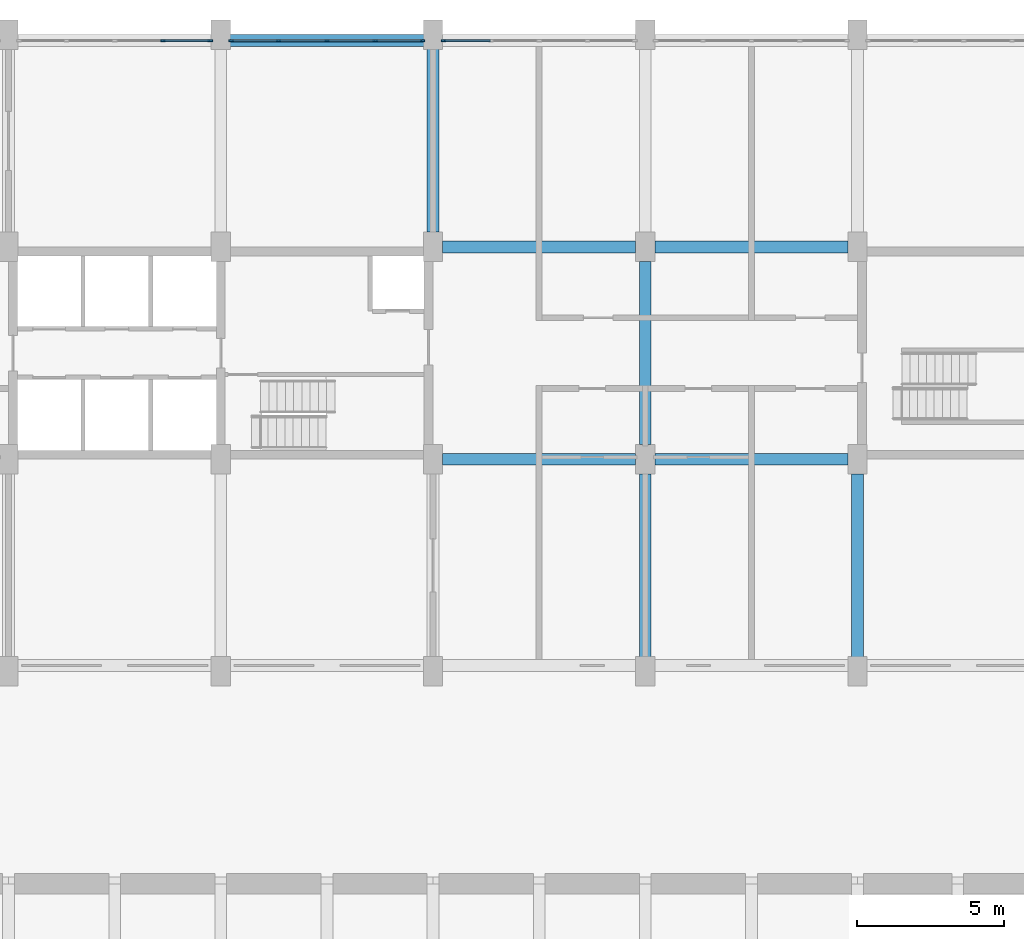
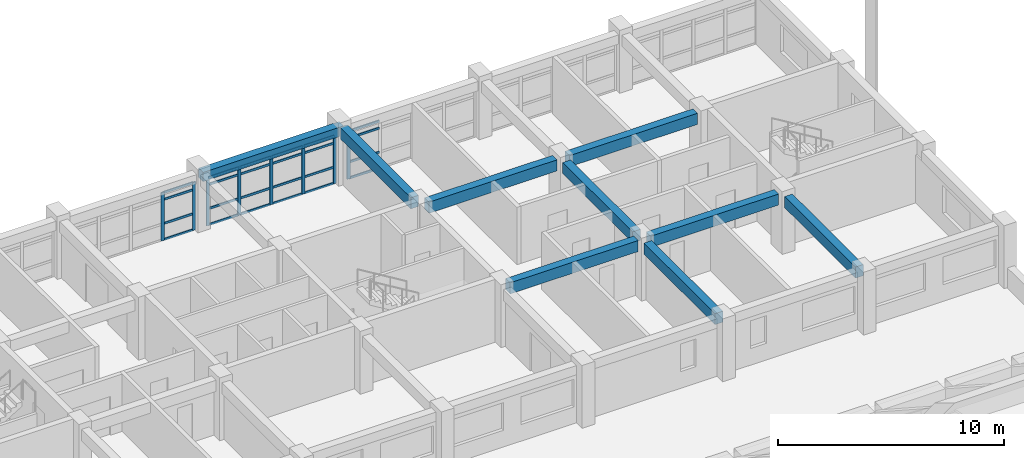
# One storey, part 13 of 31: 32 members, 9 beams, 3 elements without a shape of their own.
"""IFC4 building model written with IfcOpenShell, lengths in metres."""

from ifc_helpers import new_model, si_unit, direction, frame, origin, origin_2d, place, context, subcontext, project, spatial, rectangle, extrude, material, material_profile, profile_set, type_object, element, aggregate, save


model = new_model("IFC4")

# Units and contexts
model_context = context("Model", 3, precision=1e-05, world=origin(), true_north=direction((0.0, 1.0)))
body_context = subcontext(model_context, "Body", "Model", "MODEL_VIEW")
ifc_project = project(units=[si_unit("LENGTHUNIT", "METRE"), si_unit("AREAUNIT", "SQUARE_METRE"), si_unit("VOLUMEUNIT", "CUBIC_METRE"), si_unit("PLANEANGLEUNIT", "RADIAN"), si_unit("MASSUNIT", "GRAM", prefix="KILO")], contexts=[model_context])

# Site, building, storey
site_placement = place(None, origin())
site = spatial("IfcSite", under=ifc_project, at=site_placement, CompositionType="ELEMENT")
building_placement = place(site_placement, origin())
building = spatial("IfcBuilding", under=site, at=building_placement, Name="Vermilion Court Aquatics Centre", CompositionType="ELEMENT")
storey_placement = place(building_placement, frame((0.0, 0.0, 16.5)))
storey = spatial("IfcBuildingStorey", under=building, at=storey_placement, Name="L03", CompositionType="ELEMENT", Elevation=16.5)

# Curtain wall, members
ifc_material_1 = material(Name="Aluminium 6063-T5", Category="aluminium")
curtain_wall_type = type_object("IfcCurtainWallType", Name="North block glazed bay curtain wall 1800 module", PredefinedType="NOTDEFINED", material=ifc_material_1)
curtain_wall_1_placement = place(storey_placement, origin())
curtain_wall_1 = element("IfcCurtainWall", 1, at=curtain_wall_1_placement, inside=storey, type_object=curtain_wall_type, Name="North glazed bay 3 L03", PredefinedType="NOTDEFINED")
ifc_material_2 = material(Name="Aluminium 6063-T5", Category="aluminium")
ifc_material_profile_1 = material_profile(ifc_material_2, rectangle(XDim=0.06005859375, YDim=0.159912109375, at=origin_2d()), Name="AL 60x160")
ifc_profile_set_1 = profile_set([ifc_material_profile_1], Name="Aluminium 6063-T5")
member_type_1 = type_object("IfcMemberType", Name="North block curtain wall mullion 60x160", PredefinedType="MULLION", material=ifc_profile_set_1)
member_1_placement = place(storey_placement, frame((163.637451171875, 115.0, 0.0), z_axis=(0.0, 0.0, 1.0), x_axis=(0.0, 1.0, 0.0)))
member_1 = element("IfcMember", 2, at=member_1_placement, type_object=member_type_1, Name="UCW1 mullion 4", PredefinedType="MULLION", context=body_context, shape_type="SweptSolid", body=[
    extrude(rectangle(XDim=0.06005859375, YDim=0.159912109375, at=origin_2d()), origin(), (0.0, 0.0, 1.0), 2.60009765625),
])
member_2_placement = place(storey_placement, frame((165.2451171875, 115.0, 0.0), z_axis=(0.0, 0.0, 1.0), x_axis=(0.0, 1.0, 0.0)))
member_2 = element("IfcMember", 3, at=member_2_placement, type_object=member_type_1, Name="UCW1 mullion 5", PredefinedType="MULLION", context=body_context, shape_type="SweptSolid", body=[
    extrude(rectangle(XDim=0.06005859375, YDim=0.159912109375, at=origin_2d()), origin(), (0.0, 0.0, 1.0), 2.60009765625),
])

curtain_wall_2_placement = place(storey_placement, origin())
curtain_wall_2 = element("IfcCurtainWall", 4, at=curtain_wall_2_placement, inside=storey, type_object=curtain_wall_type, Name="North glazed bay 4 L03", PredefinedType="NOTDEFINED")
member_3_placement = place(storey_placement, frame((165.955078125, 115.0, 0.0), z_axis=(0.0, 0.0, 1.0), x_axis=(0.0, 1.0, 0.0)))
member_3 = element("IfcMember", 5, at=member_3_placement, type_object=member_type_1, Name="UCW1 mullion 1", PredefinedType="MULLION", context=body_context, shape_type="SweptSolid", body=[
    extrude(rectangle(XDim=0.06005859375, YDim=0.159912109375, at=origin_2d()), origin(), (0.0, 0.0, 1.0), 2.60009765625),
])
member_4_placement = place(storey_placement, frame((167.5625, 115.0, 0.0), z_axis=(0.0, 0.0, 1.0), x_axis=(0.0, 1.0, 0.0)))
member_4 = element("IfcMember", 6, at=member_4_placement, type_object=member_type_1, Name="UCW1 mullion 2", PredefinedType="MULLION", context=body_context, shape_type="SweptSolid", body=[
    extrude(rectangle(XDim=0.06005859375, YDim=0.159912109375, at=origin_2d()), origin(), (0.0, 0.0, 1.0), 2.60009765625),
])
member_5_placement = place(storey_placement, frame((169.199951171875, 115.0, 0.0), z_axis=(0.0, 0.0, 1.0), x_axis=(0.0, 1.0, 0.0)))
member_5 = element("IfcMember", 7, at=member_5_placement, type_object=member_type_1, Name="UCW1 mullion 3", PredefinedType="MULLION", context=body_context, shape_type="SweptSolid", body=[
    extrude(rectangle(XDim=0.06005859375, YDim=0.159912109375, at=origin_2d()), origin(), (0.0, 0.0, 1.0), 2.60009765625),
])
member_6_placement = place(storey_placement, frame((170.83740234375, 115.0, 0.0), z_axis=(0.0, 0.0, 1.0), x_axis=(0.0, 1.0, 0.0)))
member_6 = element("IfcMember", 8, at=member_6_placement, type_object=member_type_1, Name="UCW1 mullion 4", PredefinedType="MULLION", context=body_context, shape_type="SweptSolid", body=[
    extrude(rectangle(XDim=0.06005859375, YDim=0.159912109375, at=origin_2d()), origin(), (0.0, 0.0, 1.0), 2.60009765625),
])
member_7_placement = place(storey_placement, frame((172.445068359375, 115.0, 0.0), z_axis=(0.0, 0.0, 1.0), x_axis=(0.0, 1.0, 0.0)))
member_7 = element("IfcMember", 9, at=member_7_placement, type_object=member_type_1, Name="UCW1 mullion 5", PredefinedType="MULLION", context=body_context, shape_type="SweptSolid", body=[
    extrude(rectangle(XDim=0.06005859375, YDim=0.159912109375, at=origin_2d()), origin(), (0.0, 0.0, 1.0), 2.60009765625),
])

# Curtain wall, member
curtain_wall_3_placement = place(storey_placement, origin())
curtain_wall_3 = element("IfcCurtainWall", 10, at=curtain_wall_3_placement, inside=storey, type_object=curtain_wall_type, Name="North glazed bay 5 L03", PredefinedType="NOTDEFINED")
member_8_placement = place(storey_placement, frame((173.155029296875, 115.0, 0.0), z_axis=(0.0, 0.0, 1.0), x_axis=(0.0, 1.0, 0.0)))
member_8 = element("IfcMember", 11, at=member_8_placement, type_object=member_type_1, Name="UCW1 mullion 1", PredefinedType="MULLION", context=body_context, shape_type="SweptSolid", body=[
    extrude(rectangle(XDim=0.06005859375, YDim=0.159912109375, at=origin_2d()), origin(), (0.0, 0.0, 1.0), 2.60009765625),
])

# Member
ifc_material_3 = material(Name="Aluminium 6063-T5", Category="aluminium")
ifc_material_profile_2 = material_profile(ifc_material_3, rectangle(XDim=0.06005859375, YDim=0.1201171875, at=origin_2d()), Name="AL 60x120")
ifc_profile_set_2 = profile_set([ifc_material_profile_2], Name="Aluminium 6063-T5")
member_type_2 = type_object("IfcMemberType", Name="North block curtain wall transom 60x120", PredefinedType="USERDEFINED", material=ifc_profile_set_2)
member_9_placement = place(storey_placement, frame((163.66748046875, 115.0, 0.030029296875), z_axis=(1.0, 0.0, 0.0), x_axis=(0.0, 1.0, 0.0)))
member_9 = element("IfcMember", 12, at=member_9_placement, type_object=member_type_2, Name="UCW1 transom 4.1", ObjectType="TRANSOM", PredefinedType="USERDEFINED", context=body_context, shape_type="SweptSolid", body=[
    extrude(rectangle(XDim=0.06005859375, YDim=0.1201171875, at=origin_2d()), origin(), (0.0, 0.0, 1.0), 1.547607421875),
])

member_10_placement = place(storey_placement, frame((163.66748046875, 115.0, 0.89990234375), z_axis=(1.0, 0.0, 0.0), x_axis=(0.0, 1.0, 0.0)))
member_10 = element("IfcMember", 13, at=member_10_placement, type_object=member_type_2, Name="UCW1 transom 4.2", ObjectType="TRANSOM", PredefinedType="USERDEFINED", context=body_context, shape_type="SweptSolid", body=[
    extrude(rectangle(XDim=0.06005859375, YDim=0.1201171875, at=origin_2d()), origin(), (0.0, 0.0, 1.0), 1.547607421875),
])

member_11_placement = place(storey_placement, frame((163.66748046875, 115.0, 2.199951171875), z_axis=(1.0, 0.0, 0.0), x_axis=(0.0, 1.0, 0.0)))
member_11 = element("IfcMember", 14, at=member_11_placement, type_object=member_type_2, Name="UCW1 transom 4.3", ObjectType="TRANSOM", PredefinedType="USERDEFINED", context=body_context, shape_type="SweptSolid", body=[
    extrude(rectangle(XDim=0.06005859375, YDim=0.1201171875, at=origin_2d()), origin(), (0.0, 0.0, 1.0), 1.547607421875),
])

member_12_placement = place(storey_placement, frame((163.66748046875, 115.0, 2.570068359375), z_axis=(1.0, 0.0, 0.0), x_axis=(0.0, 1.0, 0.0)))
member_12 = element("IfcMember", 15, at=member_12_placement, type_object=member_type_2, Name="UCW1 transom 4.4", ObjectType="TRANSOM", PredefinedType="USERDEFINED", context=body_context, shape_type="SweptSolid", body=[
    extrude(rectangle(XDim=0.06005859375, YDim=0.1201171875, at=origin_2d()), origin(), (0.0, 0.0, 1.0), 1.547607421875),
])

aggregate(curtain_wall_1, [member_1, member_2, member_9, member_10, member_11, member_12])

member_13_placement = place(storey_placement, frame((165.985107421875, 115.0, 0.030029296875), z_axis=(1.0, 0.0, 0.0), x_axis=(0.0, 1.0, 0.0)))
member_13 = element("IfcMember", 16, at=member_13_placement, type_object=member_type_2, Name="UCW1 transom 1.1", ObjectType="TRANSOM", PredefinedType="USERDEFINED", context=body_context, shape_type="SweptSolid", body=[
    extrude(rectangle(XDim=0.06005859375, YDim=0.1201171875, at=origin_2d()), origin(), (0.0, 0.0, 1.0), 1.54736328125),
])

member_14_placement = place(storey_placement, frame((165.985107421875, 115.0, 0.89990234375), z_axis=(1.0, 0.0, 0.0), x_axis=(0.0, 1.0, 0.0)))
member_14 = element("IfcMember", 17, at=member_14_placement, type_object=member_type_2, Name="UCW1 transom 1.2", ObjectType="TRANSOM", PredefinedType="USERDEFINED", context=body_context, shape_type="SweptSolid", body=[
    extrude(rectangle(XDim=0.06005859375, YDim=0.1201171875, at=origin_2d()), origin(), (0.0, 0.0, 1.0), 1.54736328125),
])

member_15_placement = place(storey_placement, frame((165.985107421875, 115.0, 2.199951171875), z_axis=(1.0, 0.0, 0.0), x_axis=(0.0, 1.0, 0.0)))
member_15 = element("IfcMember", 18, at=member_15_placement, type_object=member_type_2, Name="UCW1 transom 1.3", ObjectType="TRANSOM", PredefinedType="USERDEFINED", context=body_context, shape_type="SweptSolid", body=[
    extrude(rectangle(XDim=0.06005859375, YDim=0.1201171875, at=origin_2d()), origin(), (0.0, 0.0, 1.0), 1.54736328125),
])

member_16_placement = place(storey_placement, frame((165.985107421875, 115.0, 2.570068359375), z_axis=(1.0, 0.0, 0.0), x_axis=(0.0, 1.0, 0.0)))
member_16 = element("IfcMember", 19, at=member_16_placement, type_object=member_type_2, Name="UCW1 transom 1.4", ObjectType="TRANSOM", PredefinedType="USERDEFINED", context=body_context, shape_type="SweptSolid", body=[
    extrude(rectangle(XDim=0.06005859375, YDim=0.1201171875, at=origin_2d()), origin(), (0.0, 0.0, 1.0), 1.54736328125),
])

member_17_placement = place(storey_placement, frame((167.592529296875, 115.0, 0.030029296875), z_axis=(1.0, 0.0, 0.0), x_axis=(0.0, 1.0, 0.0)))
member_17 = element("IfcMember", 20, at=member_17_placement, type_object=member_type_2, Name="UCW1 transom 2.1", ObjectType="TRANSOM", PredefinedType="USERDEFINED", context=body_context, shape_type="SweptSolid", body=[
    extrude(rectangle(XDim=0.06005859375, YDim=0.1201171875, at=origin_2d()), origin(), (0.0, 0.0, 1.0), 1.577392578125),
])

member_18_placement = place(storey_placement, frame((167.592529296875, 115.0, 0.89990234375), z_axis=(1.0, 0.0, 0.0), x_axis=(0.0, 1.0, 0.0)))
member_18 = element("IfcMember", 21, at=member_18_placement, type_object=member_type_2, Name="UCW1 transom 2.2", ObjectType="TRANSOM", PredefinedType="USERDEFINED", context=body_context, shape_type="SweptSolid", body=[
    extrude(rectangle(XDim=0.06005859375, YDim=0.1201171875, at=origin_2d()), origin(), (0.0, 0.0, 1.0), 1.577392578125),
])

member_19_placement = place(storey_placement, frame((167.592529296875, 115.0, 2.199951171875), z_axis=(1.0, 0.0, 0.0), x_axis=(0.0, 1.0, 0.0)))
member_19 = element("IfcMember", 22, at=member_19_placement, type_object=member_type_2, Name="UCW1 transom 2.3", ObjectType="TRANSOM", PredefinedType="USERDEFINED", context=body_context, shape_type="SweptSolid", body=[
    extrude(rectangle(XDim=0.06005859375, YDim=0.1201171875, at=origin_2d()), origin(), (0.0, 0.0, 1.0), 1.577392578125),
])

member_20_placement = place(storey_placement, frame((167.592529296875, 115.0, 2.570068359375), z_axis=(1.0, 0.0, 0.0), x_axis=(0.0, 1.0, 0.0)))
member_20 = element("IfcMember", 23, at=member_20_placement, type_object=member_type_2, Name="UCW1 transom 2.4", ObjectType="TRANSOM", PredefinedType="USERDEFINED", context=body_context, shape_type="SweptSolid", body=[
    extrude(rectangle(XDim=0.06005859375, YDim=0.1201171875, at=origin_2d()), origin(), (0.0, 0.0, 1.0), 1.577392578125),
])

member_21_placement = place(storey_placement, frame((169.22998046875, 115.0, 0.030029296875), z_axis=(1.0, 0.0, 0.0), x_axis=(0.0, 1.0, 0.0)))
member_21 = element("IfcMember", 24, at=member_21_placement, type_object=member_type_2, Name="UCW1 transom 3.1", ObjectType="TRANSOM", PredefinedType="USERDEFINED", context=body_context, shape_type="SweptSolid", body=[
    extrude(rectangle(XDim=0.06005859375, YDim=0.1201171875, at=origin_2d()), origin(), (0.0, 0.0, 1.0), 1.57763671875),
])

member_22_placement = place(storey_placement, frame((169.22998046875, 115.0, 0.89990234375), z_axis=(1.0, 0.0, 0.0), x_axis=(0.0, 1.0, 0.0)))
member_22 = element("IfcMember", 25, at=member_22_placement, type_object=member_type_2, Name="UCW1 transom 3.2", ObjectType="TRANSOM", PredefinedType="USERDEFINED", context=body_context, shape_type="SweptSolid", body=[
    extrude(rectangle(XDim=0.06005859375, YDim=0.1201171875, at=origin_2d()), origin(), (0.0, 0.0, 1.0), 1.57763671875),
])

member_23_placement = place(storey_placement, frame((169.22998046875, 115.0, 2.199951171875), z_axis=(1.0, 0.0, 0.0), x_axis=(0.0, 1.0, 0.0)))
member_23 = element("IfcMember", 26, at=member_23_placement, type_object=member_type_2, Name="UCW1 transom 3.3", ObjectType="TRANSOM", PredefinedType="USERDEFINED", context=body_context, shape_type="SweptSolid", body=[
    extrude(rectangle(XDim=0.06005859375, YDim=0.1201171875, at=origin_2d()), origin(), (0.0, 0.0, 1.0), 1.57763671875),
])

member_24_placement = place(storey_placement, frame((169.22998046875, 115.0, 2.570068359375), z_axis=(1.0, 0.0, 0.0), x_axis=(0.0, 1.0, 0.0)))
member_24 = element("IfcMember", 27, at=member_24_placement, type_object=member_type_2, Name="UCW1 transom 3.4", ObjectType="TRANSOM", PredefinedType="USERDEFINED", context=body_context, shape_type="SweptSolid", body=[
    extrude(rectangle(XDim=0.06005859375, YDim=0.1201171875, at=origin_2d()), origin(), (0.0, 0.0, 1.0), 1.57763671875),
])

member_25_placement = place(storey_placement, frame((170.867431640625, 115.0, 0.030029296875), z_axis=(1.0, 0.0, 0.0), x_axis=(0.0, 1.0, 0.0)))
member_25 = element("IfcMember", 28, at=member_25_placement, type_object=member_type_2, Name="UCW1 transom 4.1", ObjectType="TRANSOM", PredefinedType="USERDEFINED", context=body_context, shape_type="SweptSolid", body=[
    extrude(rectangle(XDim=0.06005859375, YDim=0.1201171875, at=origin_2d()), origin(), (0.0, 0.0, 1.0), 1.547607421875),
])

member_26_placement = place(storey_placement, frame((170.867431640625, 115.0, 0.89990234375), z_axis=(1.0, 0.0, 0.0), x_axis=(0.0, 1.0, 0.0)))
member_26 = element("IfcMember", 29, at=member_26_placement, type_object=member_type_2, Name="UCW1 transom 4.2", ObjectType="TRANSOM", PredefinedType="USERDEFINED", context=body_context, shape_type="SweptSolid", body=[
    extrude(rectangle(XDim=0.06005859375, YDim=0.1201171875, at=origin_2d()), origin(), (0.0, 0.0, 1.0), 1.547607421875),
])

member_27_placement = place(storey_placement, frame((170.867431640625, 115.0, 2.199951171875), z_axis=(1.0, 0.0, 0.0), x_axis=(0.0, 1.0, 0.0)))
member_27 = element("IfcMember", 30, at=member_27_placement, type_object=member_type_2, Name="UCW1 transom 4.3", ObjectType="TRANSOM", PredefinedType="USERDEFINED", context=body_context, shape_type="SweptSolid", body=[
    extrude(rectangle(XDim=0.06005859375, YDim=0.1201171875, at=origin_2d()), origin(), (0.0, 0.0, 1.0), 1.547607421875),
])

member_28_placement = place(storey_placement, frame((170.867431640625, 115.0, 2.570068359375), z_axis=(1.0, 0.0, 0.0), x_axis=(0.0, 1.0, 0.0)))
member_28 = element("IfcMember", 31, at=member_28_placement, type_object=member_type_2, Name="UCW1 transom 4.4", ObjectType="TRANSOM", PredefinedType="USERDEFINED", context=body_context, shape_type="SweptSolid", body=[
    extrude(rectangle(XDim=0.06005859375, YDim=0.1201171875, at=origin_2d()), origin(), (0.0, 0.0, 1.0), 1.547607421875),
])

aggregate(curtain_wall_2, [member_3, member_4, member_5, member_6, member_7, member_13, member_14, member_15, member_16, member_17, member_18, member_19, member_20, member_21, member_22, member_23, member_24, member_25, member_26, member_27, member_28])

member_29_placement = place(storey_placement, frame((173.18505859375, 115.0, 0.030029296875), z_axis=(1.0, 0.0, 0.0), x_axis=(0.0, 1.0, 0.0)))
member_29 = element("IfcMember", 32, at=member_29_placement, type_object=member_type_2, Name="UCW1 transom 1.1", ObjectType="TRANSOM", PredefinedType="USERDEFINED", context=body_context, shape_type="SweptSolid", body=[
    extrude(rectangle(XDim=0.06005859375, YDim=0.1201171875, at=origin_2d()), origin(), (0.0, 0.0, 1.0), 1.54736328125),
])

member_30_placement = place(storey_placement, frame((173.18505859375, 115.0, 0.89990234375), z_axis=(1.0, 0.0, 0.0), x_axis=(0.0, 1.0, 0.0)))
member_30 = element("IfcMember", 33, at=member_30_placement, type_object=member_type_2, Name="UCW1 transom 1.2", ObjectType="TRANSOM", PredefinedType="USERDEFINED", context=body_context, shape_type="SweptSolid", body=[
    extrude(rectangle(XDim=0.06005859375, YDim=0.1201171875, at=origin_2d()), origin(), (0.0, 0.0, 1.0), 1.54736328125),
])

member_31_placement = place(storey_placement, frame((173.18505859375, 115.0, 2.199951171875), z_axis=(1.0, 0.0, 0.0), x_axis=(0.0, 1.0, 0.0)))
member_31 = element("IfcMember", 34, at=member_31_placement, type_object=member_type_2, Name="UCW1 transom 1.3", ObjectType="TRANSOM", PredefinedType="USERDEFINED", context=body_context, shape_type="SweptSolid", body=[
    extrude(rectangle(XDim=0.06005859375, YDim=0.1201171875, at=origin_2d()), origin(), (0.0, 0.0, 1.0), 1.54736328125),
])

member_32_placement = place(storey_placement, frame((173.18505859375, 115.0, 2.570068359375), z_axis=(1.0, 0.0, 0.0), x_axis=(0.0, 1.0, 0.0)))
member_32 = element("IfcMember", 35, at=member_32_placement, type_object=member_type_2, Name="UCW1 transom 1.4", ObjectType="TRANSOM", PredefinedType="USERDEFINED", context=body_context, shape_type="SweptSolid", body=[
    extrude(rectangle(XDim=0.06005859375, YDim=0.1201171875, at=origin_2d()), origin(), (0.0, 0.0, 1.0), 1.54736328125),
])

aggregate(curtain_wall_3, [member_8, member_29, member_30, member_31, member_32])

# Beams
ifc_material_4 = material(Name="Concrete 6000 psi", Category="concrete")
ifc_material_profile_3 = material_profile(ifc_material_4, rectangle(XDim=0.39990234375, YDim=0.60009765625, at=origin_2d()), Name="RC 400x600")
ifc_profile_set_3 = profile_set([ifc_material_profile_3], Name="Concrete 6000 psi")
beam_type_1 = type_object("IfcBeamType", Name="North block floor girder 400x600", PredefinedType="BEAM", material=ifc_profile_set_3)
for number, where, z_axis, x_axis, name in (
    (36, (173.125, 100.800048828125, 2.800048828125), (1.0, 0.0, 0.0), (0.0, 1.0, 0.0), "Floor beam L04 x100.8"),
    (37, (180.324951171875, 100.800048828125, 2.800048828125), (1.0, 0.0, 0.0), (0.0, 1.0, 0.0), "Floor beam L04 x100.8"),
    (38, (173.125, 108.0, 2.800048828125), (1.0, 0.0, 0.0), (0.0, 1.0, 0.0), "Floor beam L04 x108"),
    (39, (180.324951171875, 108.0, 2.800048828125), (1.0, 0.0, 0.0), (0.0, 1.0, 0.0), "Floor beam L04 x108"),
):
    element("IfcBeam", number, at=place(storey_placement, frame(where, z_axis=z_axis, x_axis=x_axis)), inside=storey, type_object=beam_type_1, Name=name, PredefinedType="BEAM", context=body_context, shape_type="SweptSolid", body=[
        extrude(rectangle(XDim=0.39990234375, YDim=0.60009765625, at=origin_2d()), origin(), (0.0, 0.0, 1.0), 6.550048828125),
    ])
for number, where, z_axis, x_axis, name in (
    (40, (172.800048828125, 108.5, 2.800048828125), (0.0, 1.0, 0.0), (-1.0, 0.0, 0.0), "Floor beam L04 y172.8"),
    (41, (180.0, 94.0, 2.800048828125), (0.0, 1.0, 0.0), (-1.0, 0.0, 0.0), "Floor beam L04 y180"),
):
    element("IfcBeam", number, at=place(storey_placement, frame(where, z_axis=z_axis, x_axis=x_axis)), inside=storey, type_object=beam_type_1, Name=name, PredefinedType="BEAM", context=body_context, shape_type="SweptSolid", body=[
        extrude(rectangle(XDim=0.39990234375, YDim=0.60009765625, at=origin_2d()), origin(), (0.0, 0.0, 1.0), 6.300048828125),
    ])
beam_1_placement = place(storey_placement, frame((180.0, 101.300048828125, 2.800048828125), z_axis=(0.0, 1.0, 0.0), x_axis=(-1.0, 0.0, 0.0)))
element("IfcBeam", 42, at=beam_1_placement, inside=storey, type_object=beam_type_1, Name="Floor beam L04 y180", PredefinedType="BEAM", context=body_context, shape_type="SweptSolid", body=[
    extrude(rectangle(XDim=0.39990234375, YDim=0.60009765625, at=origin_2d()), origin(), (0.0, 0.0, 1.0), 6.199951171875),
])
beam_2_placement = place(storey_placement, frame((187.199951171875, 94.0, 2.800048828125), z_axis=(0.0, 1.0, 0.0), x_axis=(-1.0, 0.0, 0.0)))
element("IfcBeam", 43, at=beam_2_placement, inside=storey, type_object=beam_type_1, Name="Floor beam L04 y187.2", PredefinedType="BEAM", context=body_context, shape_type="SweptSolid", body=[
    extrude(rectangle(XDim=0.39990234375, YDim=0.60009765625, at=origin_2d()), origin(), (0.0, 0.0, 1.0), 6.300048828125),
])
ifc_material_5 = material(Name="Concrete 6000 psi", Category="concrete")
ifc_material_profile_4 = material_profile(ifc_material_5, rectangle(XDim=0.39990234375, YDim=0.5, at=origin_2d()), Name="RC 400x500")
ifc_profile_set_4 = profile_set([ifc_material_profile_4], Name="Concrete 6000 psi")
beam_type_2 = type_object("IfcBeamType", Name="North block spandrel beam 400x500", PredefinedType="BEAM", material=ifc_profile_set_4)
beam_3_placement = place(storey_placement, frame((165.60009765625, 115.0, 2.85009765625), z_axis=(1.0, 0.0, 0.0), x_axis=(0.0, 1.0, 0.0)))
element("IfcBeam", 44, at=beam_3_placement, inside=storey, type_object=beam_type_2, Name="Spandrel beam L04 x115.2", PredefinedType="BEAM", context=body_context, shape_type="SweptSolid", body=[
    extrude(rectangle(XDim=0.39990234375, YDim=0.5, at=origin_2d()), origin(), (0.0, 0.0, 1.0), 7.199951171875),
])

save(model, "model.ifc")
